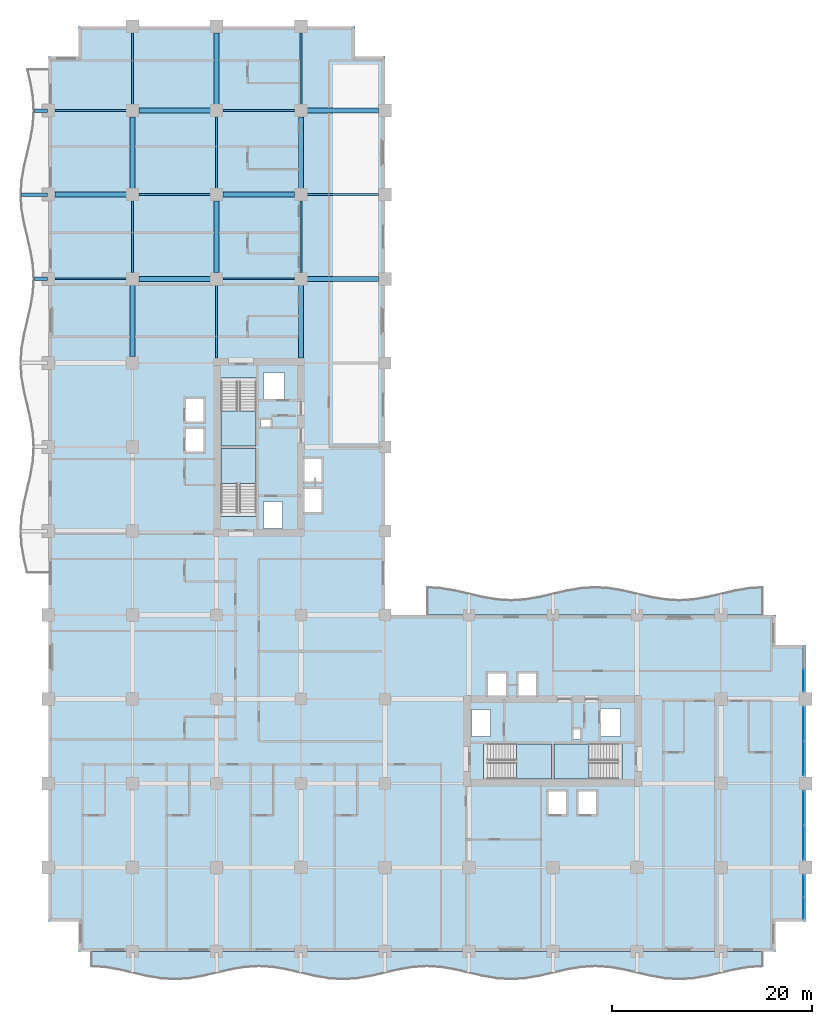
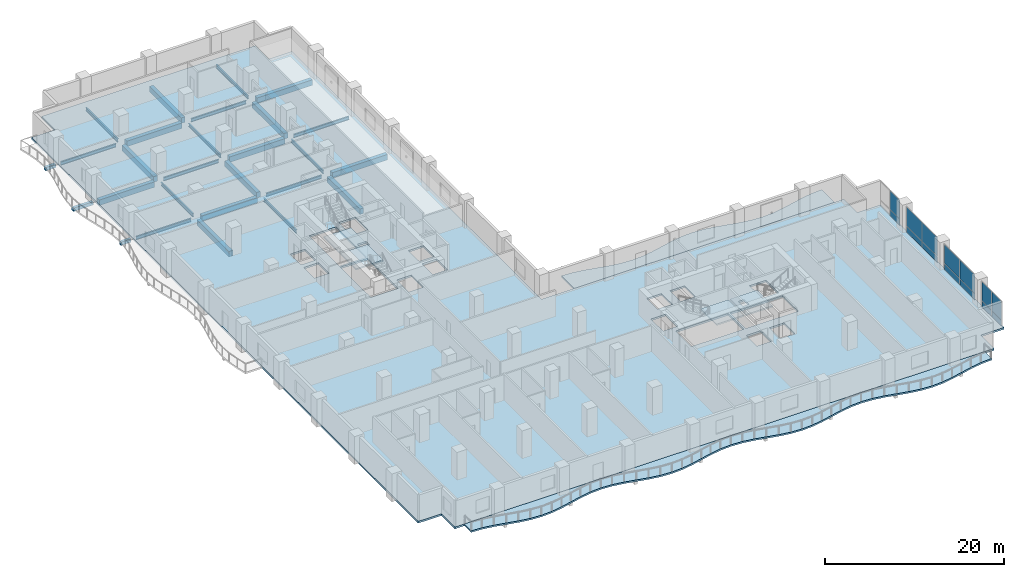
# One storey, part 7 of 24: 27 beams, 14 plates, 7 slabs, 8 elements without a shape of their own.
"""IFC4 building model written with IfcOpenShell, lengths in metres."""

from ifc_helpers import new_model, si_unit, direction, frame, origin, origin_2d, place, context, subcontext, project, spatial, polyline, rectangle, i_section, outline, extrude, material, layer, layer_set, material_profile, profile_set, type_object, element, aggregate, save


model = new_model("IFC4")

# Units and contexts
model_context = context("Model", 3, precision=1e-05, world=origin(), true_north=direction((0.0, 1.0)))
body_context = subcontext(model_context, "Body", "Model", "MODEL_VIEW")
ifc_project = project(units=[si_unit("LENGTHUNIT", "METRE"), si_unit("AREAUNIT", "SQUARE_METRE"), si_unit("VOLUMEUNIT", "CUBIC_METRE"), si_unit("PLANEANGLEUNIT", "RADIAN"), si_unit("MASSUNIT", "GRAM", prefix="KILO")], contexts=[model_context])

# Site, building, storey
site_placement = place(None, origin())
site = spatial("IfcSite", under=ifc_project, at=site_placement, CompositionType="ELEMENT")
building_placement = place(site_placement, origin())
building = spatial("IfcBuilding", under=site, at=building_placement, Name="Koriwani Terraces Tower", CompositionType="ELEMENT")
storey_placement = place(building_placement, frame((0.0, 0.0, 103.800048828125)))
storey = spatial("IfcBuildingStorey", under=building, at=storey_placement, Name="L24", CompositionType="ELEMENT", Elevation=103.800048828125)

# Beams
ifc_material_1 = material(Name="Concrete C40/50", Category="concrete")
ifc_material_profile_1 = material_profile(ifc_material_1, rectangle(XDim=0.35009765625, YDim=0.449951171875, at=origin_2d()), Name="Concrete C40/50", Category="LoadBearing")
ifc_profile_set_1 = profile_set([ifc_material_profile_1], Name="Concrete C40/50")
beam_type_1 = type_object("IfcBeamType", Name="BEAM_RC_BALCONY_RIB_350X450", PredefinedType="JOIST", material=ifc_profile_set_1)
beam_1_placement = place(storey_placement, frame((-1.39990234375, 67.199951171875, -0.47509765625), z_axis=(1.0, 0.0, 0.0), x_axis=(0.0, 1.0, 0.0)))
element("IfcBeam", 1, at=beam_1_placement, inside=storey, type_object=beam_type_1, Name="L24 Balcony Bracket Rib W-4", PredefinedType="JOIST", context=body_context, shape_type="SweptSolid", body=[
    extrude(rectangle(XDim=0.35009765625, YDim=0.449951171875, at=origin_2d()), origin(), (0.0, 0.0, 1.0), 1.2998046875),
])
beam_2_placement = place(storey_placement, frame((-2.699951171875, 75.60009765625, -0.47509765625), z_axis=(1.0, 0.0, 0.0), x_axis=(0.0, 1.0, 0.0)))
element("IfcBeam", 2, at=beam_2_placement, inside=storey, type_object=beam_type_1, Name="L24 Balcony Bracket Rib W-5", PredefinedType="JOIST", context=body_context, shape_type="SweptSolid", body=[
    extrude(rectangle(XDim=0.35009765625, YDim=0.449951171875, at=origin_2d()), origin(), (0.0, 0.0, 1.0), 2.599853515625),
])
beam_3_placement = place(storey_placement, frame((-1.39990234375, 84.0, -0.47509765625), z_axis=(1.0, 0.0, 0.0), x_axis=(0.0, 1.0, 0.0)))
element("IfcBeam", 3, at=beam_3_placement, inside=storey, type_object=beam_type_1, Name="L24 Balcony Bracket Rib W-6", PredefinedType="JOIST", context=body_context, shape_type="SweptSolid", body=[
    extrude(rectangle(XDim=0.35009765625, YDim=0.449951171875, at=origin_2d()), origin(), (0.0, 0.0, 1.0), 1.2998046875),
])
ifc_material_2 = material(Name="Concrete C50/60", Category="concrete")
ifc_material_profile_2 = material_profile(ifc_material_2, rectangle(XDim=0.5, YDim=0.75, at=origin_2d()), Name="Concrete C50/60", Category="LoadBearing")
ifc_profile_set_2 = profile_set([ifc_material_profile_2], Name="Concrete C50/60")
beam_type_2 = type_object("IfcBeamType", Name="BEAM_RC_GRID_500X750", PredefinedType="BEAM", material=ifc_profile_set_2)
for number, where, z_axis, x_axis, name in (
    (4, (9.030029296875, 67.199951171875, -0.625), (1.0, 0.0, 0.0), (0.0, 1.0, 0.0), "L24 Grid Beam I (8.4-16.8m)"),
    (5, (25.830078125, 67.199951171875, -0.625), (1.0, 0.0, 0.0), (0.0, 1.0, 0.0), "L24 Grid Beam I (25.2-33.6m)"),
):
    element("IfcBeam", number, at=place(storey_placement, frame(where, z_axis=z_axis, x_axis=x_axis)), inside=storey, type_object=beam_type_2, Name=name, PredefinedType="BEAM", context=body_context, shape_type="SweptSolid", body=[
        extrude(rectangle(XDim=0.5, YDim=0.75, at=origin_2d()), origin(), (0.0, 0.0, 1.0), 7.139892578125),
    ])
for number, where, z_axis, x_axis, name in (
    (6, (0.6298828125, 75.60009765625, -0.625), (1.0, 0.0, 0.0), (0.0, 1.0, 0.0), "L24 Grid Beam J (0.0-8.4m)"),
    (7, (17.429931640625, 75.60009765625, -0.625), (1.0, 0.0, 0.0), (0.0, 1.0, 0.0), "L24 Grid Beam J (16.8-25.2m)"),
):
    element("IfcBeam", number, at=place(storey_placement, frame(where, z_axis=z_axis, x_axis=x_axis)), inside=storey, type_object=beam_type_2, Name=name, PredefinedType="BEAM", context=body_context, shape_type="SweptSolid", body=[
        extrude(rectangle(XDim=0.5, YDim=0.75, at=origin_2d()), origin(), (0.0, 0.0, 1.0), 7.14013671875),
    ])
for number, where, z_axis, x_axis, name in (
    (8, (9.030029296875, 84.0, -0.625), (1.0, 0.0, 0.0), (0.0, 1.0, 0.0), "L24 Grid Beam K (8.4-16.8m)"),
    (9, (25.830078125, 84.0, -0.625), (1.0, 0.0, 0.0), (0.0, 1.0, 0.0), "L24 Grid Beam K (25.2-33.6m)"),
):
    element("IfcBeam", number, at=place(storey_placement, frame(where, z_axis=z_axis, x_axis=x_axis)), inside=storey, type_object=beam_type_2, Name=name, PredefinedType="BEAM", context=body_context, shape_type="SweptSolid", body=[
        extrude(rectangle(XDim=0.5, YDim=0.75, at=origin_2d()), origin(), (0.0, 0.0, 1.0), 7.139892578125),
    ])
for number, where, z_axis, x_axis, name in (
    (10, (8.39990234375, 59.429931640625, -0.625), (0.0, 1.0, 0.0), (-1.0, 0.0, 0.0), "L24 Grid Beam 2 (58.8-67.2m)"),
    (11, (8.39990234375, 76.22998046875, -0.625), (0.0, 1.0, 0.0), (-1.0, 0.0, 0.0), "L24 Grid Beam 2 (75.6-84.0m)"),
):
    element("IfcBeam", number, at=place(storey_placement, frame(where, z_axis=z_axis, x_axis=x_axis)), inside=storey, type_object=beam_type_2, Name=name, PredefinedType="BEAM", context=body_context, shape_type="SweptSolid", body=[
        extrude(rectangle(XDim=0.5, YDim=0.75, at=origin_2d()), origin(), (0.0, 0.0, 1.0), 7.14013671875),
    ])
beam_4_placement = place(storey_placement, frame((16.800048828125, 67.830078125, -0.625), z_axis=(0.0, 1.0, 0.0), x_axis=(-1.0, 0.0, 0.0)))
element("IfcBeam", 12, at=beam_4_placement, inside=storey, type_object=beam_type_2, Name="L24 Grid Beam 3 (67.2-75.6m)", PredefinedType="BEAM", context=body_context, shape_type="SweptSolid", body=[
    extrude(rectangle(XDim=0.5, YDim=0.75, at=origin_2d()), origin(), (0.0, 0.0, 1.0), 7.139892578125),
])
beam_5_placement = place(storey_placement, frame((16.800048828125, 84.6298828125, -0.625), z_axis=(0.0, 1.0, 0.0), x_axis=(-1.0, 0.0, 0.0)))
element("IfcBeam", 13, at=beam_5_placement, inside=storey, type_object=beam_type_2, Name="L24 Grid Beam 3 (84.0-92.4m)", PredefinedType="BEAM", context=body_context, shape_type="SweptSolid", body=[
    extrude(rectangle(XDim=0.5, YDim=0.75, at=origin_2d()), origin(), (0.0, 0.0, 1.0), 7.14013671875),
])
beam_6_placement = place(storey_placement, frame((25.199951171875, 59.280029296875, -0.625), z_axis=(0.0, 1.0, 0.0), x_axis=(-1.0, 0.0, 0.0)))
element("IfcBeam", 14, at=beam_6_placement, inside=storey, type_object=beam_type_2, Name="L24 Grid Beam 4 (58.8-67.2m)", PredefinedType="BEAM", context=body_context, shape_type="SweptSolid", body=[
    extrude(rectangle(XDim=0.5, YDim=0.75, at=origin_2d()), origin(), (0.0, 0.0, 1.0), 7.2900390625),
])
beam_7_placement = place(storey_placement, frame((25.199951171875, 76.22998046875, -0.625), z_axis=(0.0, 1.0, 0.0), x_axis=(-1.0, 0.0, 0.0)))
element("IfcBeam", 15, at=beam_7_placement, inside=storey, type_object=beam_type_2, Name="L24 Grid Beam 4 (75.6-84.0m)", PredefinedType="BEAM", context=body_context, shape_type="SweptSolid", body=[
    extrude(rectangle(XDim=0.5, YDim=0.75, at=origin_2d()), origin(), (0.0, 0.0, 1.0), 7.14013671875),
])
ifc_material_3 = material(Name="Steel ASTM A572 Grade 50", Category="steel")
ifc_material_profile_3 = material_profile(ifc_material_3, i_section(OverallWidth=0.193115234375, OverallDepth=0.462890625, WebThickness=0.0107421875, FlangeThickness=0.017333984375, at=origin_2d()), Name="Steel ASTM A572 Grade 50", Category="LoadBearing")
ifc_profile_set_3 = profile_set([ifc_material_profile_3], Name="Steel ASTM A572 Grade 50")
beam_type_3 = type_object("IfcBeamType", Name="STEEL_BEAM_W460X113", PredefinedType="BEAM", material=ifc_profile_set_3)
for number, where, z_axis, x_axis, name in (
    (16, (0.6298828125, 67.199951171875, -0.4814453125), (1.0, 0.0, 0.0), (0.0, 1.0, 0.0), "L24 Grid Beam I (0.0-8.4m)"),
    (17, (17.429931640625, 67.199951171875, -0.4814453125), (1.0, 0.0, 0.0), (0.0, 1.0, 0.0), "L24 Grid Beam I (16.8-25.2m)"),
):
    element("IfcBeam", number, at=place(storey_placement, frame(where, z_axis=z_axis, x_axis=x_axis)), inside=storey, type_object=beam_type_3, Name=name, PredefinedType="BEAM", context=body_context, shape_type="SweptSolid", body=[
        extrude(i_section(OverallWidth=0.193115234375, OverallDepth=0.462890625, WebThickness=0.0107421875, FlangeThickness=0.017333984375, at=origin_2d()), origin(), (0.0, 0.0, 1.0), 7.14013671875),
    ])
for number, where, z_axis, x_axis, name in (
    (18, (9.030029296875, 75.60009765625, -0.4814453125), (1.0, 0.0, 0.0), (0.0, 1.0, 0.0), "L24 Grid Beam J (8.4-16.8m)"),
    (19, (25.830078125, 75.60009765625, -0.4814453125), (1.0, 0.0, 0.0), (0.0, 1.0, 0.0), "L24 Grid Beam J (25.2-33.6m)"),
):
    element("IfcBeam", number, at=place(storey_placement, frame(where, z_axis=z_axis, x_axis=x_axis)), inside=storey, type_object=beam_type_3, Name=name, PredefinedType="BEAM", context=body_context, shape_type="SweptSolid", body=[
        extrude(i_section(OverallWidth=0.193115234375, OverallDepth=0.462890625, WebThickness=0.0107421875, FlangeThickness=0.017333984375, at=origin_2d()), origin(), (0.0, 0.0, 1.0), 7.139892578125),
    ])
for number, where, z_axis, x_axis, name in (
    (20, (0.6298828125, 84.0, -0.4814453125), (1.0, 0.0, 0.0), (0.0, 1.0, 0.0), "L24 Grid Beam K (0.0-8.4m)"),
    (21, (17.429931640625, 84.0, -0.4814453125), (1.0, 0.0, 0.0), (0.0, 1.0, 0.0), "L24 Grid Beam K (16.8-25.2m)"),
):
    element("IfcBeam", number, at=place(storey_placement, frame(where, z_axis=z_axis, x_axis=x_axis)), inside=storey, type_object=beam_type_3, Name=name, PredefinedType="BEAM", context=body_context, shape_type="SweptSolid", body=[
        extrude(i_section(OverallWidth=0.193115234375, OverallDepth=0.462890625, WebThickness=0.0107421875, FlangeThickness=0.017333984375, at=origin_2d()), origin(), (0.0, 0.0, 1.0), 7.14013671875),
    ])
beam_8_placement = place(storey_placement, frame((8.39990234375, 67.830078125, -0.4814453125), z_axis=(0.0, 1.0, 0.0), x_axis=(-1.0, 0.0, 0.0)))
element("IfcBeam", 22, at=beam_8_placement, inside=storey, type_object=beam_type_3, Name="L24 Grid Beam 2 (67.2-75.6m)", PredefinedType="BEAM", context=body_context, shape_type="SweptSolid", body=[
    extrude(i_section(OverallWidth=0.193115234375, OverallDepth=0.462890625, WebThickness=0.0107421875, FlangeThickness=0.017333984375, at=origin_2d()), origin(), (0.0, 0.0, 1.0), 7.139892578125),
])
beam_9_placement = place(storey_placement, frame((8.39990234375, 84.6298828125, -0.4814453125), z_axis=(0.0, 1.0, 0.0), x_axis=(-1.0, 0.0, 0.0)))
element("IfcBeam", 23, at=beam_9_placement, inside=storey, type_object=beam_type_3, Name="L24 Grid Beam 2 (84.0-92.4m)", PredefinedType="BEAM", context=body_context, shape_type="SweptSolid", body=[
    extrude(i_section(OverallWidth=0.193115234375, OverallDepth=0.462890625, WebThickness=0.0107421875, FlangeThickness=0.017333984375, at=origin_2d()), origin(), (0.0, 0.0, 1.0), 7.14013671875),
])
beam_10_placement = place(storey_placement, frame((16.800048828125, 59.280029296875, -0.4814453125), z_axis=(0.0, 1.0, 0.0), x_axis=(-1.0, 0.0, 0.0)))
element("IfcBeam", 24, at=beam_10_placement, inside=storey, type_object=beam_type_3, Name="L24 Grid Beam 3 (58.8-67.2m)", PredefinedType="BEAM", context=body_context, shape_type="SweptSolid", body=[
    extrude(i_section(OverallWidth=0.193115234375, OverallDepth=0.462890625, WebThickness=0.0107421875, FlangeThickness=0.017333984375, at=origin_2d()), origin(), (0.0, 0.0, 1.0), 7.2900390625),
])
beam_11_placement = place(storey_placement, frame((16.800048828125, 76.22998046875, -0.4814453125), z_axis=(0.0, 1.0, 0.0), x_axis=(-1.0, 0.0, 0.0)))
element("IfcBeam", 25, at=beam_11_placement, inside=storey, type_object=beam_type_3, Name="L24 Grid Beam 3 (75.6-84.0m)", PredefinedType="BEAM", context=body_context, shape_type="SweptSolid", body=[
    extrude(i_section(OverallWidth=0.193115234375, OverallDepth=0.462890625, WebThickness=0.0107421875, FlangeThickness=0.017333984375, at=origin_2d()), origin(), (0.0, 0.0, 1.0), 7.14013671875),
])
beam_12_placement = place(storey_placement, frame((25.199951171875, 67.830078125, -0.4814453125), z_axis=(0.0, 1.0, 0.0), x_axis=(-1.0, 0.0, 0.0)))
element("IfcBeam", 26, at=beam_12_placement, inside=storey, type_object=beam_type_3, Name="L24 Grid Beam 4 (67.2-75.6m)", PredefinedType="BEAM", context=body_context, shape_type="SweptSolid", body=[
    extrude(i_section(OverallWidth=0.193115234375, OverallDepth=0.462890625, WebThickness=0.0107421875, FlangeThickness=0.017333984375, at=origin_2d()), origin(), (0.0, 0.0, 1.0), 7.139892578125),
])
beam_13_placement = place(storey_placement, frame((25.199951171875, 84.6298828125, -0.4814453125), z_axis=(0.0, 1.0, 0.0), x_axis=(-1.0, 0.0, 0.0)))
element("IfcBeam", 27, at=beam_13_placement, inside=storey, type_object=beam_type_3, Name="L24 Grid Beam 4 (84.0-92.4m)", PredefinedType="BEAM", context=body_context, shape_type="SweptSolid", body=[
    extrude(i_section(OverallWidth=0.193115234375, OverallDepth=0.462890625, WebThickness=0.0107421875, FlangeThickness=0.017333984375, at=origin_2d()), origin(), (0.0, 0.0, 1.0), 7.14013671875),
])

# Curtain wall, plates
ifc_material_4 = material(Name="Anodised Bronze Aluminium", Category="aluminium")
ifc_layer_1 = layer(ifc_material_4, 0.179931640625, Name="Anodised Bronze Aluminium")
ifc_layer_set_1 = layer_set([ifc_layer_1], Name="Anodised Bronze Aluminium")
curtain_wall_type = type_object("IfcCurtainWallType", Name="CW_HOTEL_ZONE2", PredefinedType="NOTDEFINED", material=ifc_layer_set_1)
curtain_wall_1_placement = place(storey_placement, origin())
curtain_wall_1 = element("IfcCurtainWall", 28, at=curtain_wall_1_placement, inside=storey, type_object=curtain_wall_type, Name="L24 Unitised Curtain Wall (E_TIP) Bay 1", PredefinedType="NOTDEFINED")
ifc_material_5 = material(Name="Tempered Laminated Low-E Glass", Category="glass")
ifc_layer_2 = layer(ifc_material_5, 0.028076171875, Name="Tempered Laminated Low-E Glass")
ifc_layer_set_2 = layer_set([ifc_layer_2], Name="Tempered Laminated Low-E Glass")
plate_type = type_object("IfcPlateType", Name="CW_PANEL_VISION_28", PredefinedType="CURTAIN_PANEL", material=ifc_layer_set_2)
plate_1_placement = place(storey_placement, frame((75.425048828125, 27.0576171875, 0.06494140625), z_axis=(0.0, 0.0, 1.0), x_axis=(0.0, -1.0, 0.0)))
plate_1 = element("IfcPlate", 29, at=plate_1_placement, type_object=plate_type, Name="CW-Z2 panel 2.1", PredefinedType="CURTAIN_PANEL", context=body_context, shape_type="SweptSolid", body=[
    extrude(rectangle(XDim=2.14501953125, YDim=0.028076171875, at=origin_2d()), origin(), (0.0, 0.0, 1.0), 0.802490234375),
])
plate_2_placement = place(storey_placement, frame((75.425048828125, 27.0576171875, 0.9326171875), z_axis=(0.0, 0.0, 1.0), x_axis=(0.0, -1.0, 0.0)))
plate_2 = element("IfcPlate", 30, at=plate_2_placement, type_object=plate_type, Name="CW-Z2 panel 2.2", PredefinedType="CURTAIN_PANEL", context=body_context, shape_type="SweptSolid", body=[
    extrude(rectangle(XDim=2.14501953125, YDim=0.028076171875, at=origin_2d()), origin(), (0.0, 0.0, 1.0), 2.552490234375),
])
aggregate(curtain_wall_1, [plate_1, plate_2])

curtain_wall_2_placement = place(storey_placement, origin())
curtain_wall_2 = element("IfcCurtainWall", 31, at=curtain_wall_2_placement, inside=storey, type_object=curtain_wall_type, Name="L24 Unitised Curtain Wall (E_TIP) Bay 2", PredefinedType="NOTDEFINED")
plate_3_placement = place(storey_placement, frame((75.425048828125, 22.726318359375, 0.06494140625), z_axis=(0.0, 0.0, 1.0), x_axis=(0.0, -1.0, 0.0)))
plate_3 = element("IfcPlate", 32, at=plate_3_placement, type_object=plate_type, Name="CW-Z2 panel 1.1", PredefinedType="CURTAIN_PANEL", context=body_context, shape_type="SweptSolid", body=[
    extrude(rectangle(XDim=3.37744140625, YDim=0.028076171875, at=origin_2d()), origin(), (0.0, 0.0, 1.0), 0.802490234375),
])
plate_4_placement = place(storey_placement, frame((75.425048828125, 22.726318359375, 0.9326171875), z_axis=(0.0, 0.0, 1.0), x_axis=(0.0, -1.0, 0.0)))
plate_4 = element("IfcPlate", 33, at=plate_4_placement, type_object=plate_type, Name="CW-Z2 panel 1.2", PredefinedType="CURTAIN_PANEL", context=body_context, shape_type="SweptSolid", body=[
    extrude(rectangle(XDim=3.37744140625, YDim=0.028076171875, at=origin_2d()), origin(), (0.0, 0.0, 1.0), 2.552490234375),
])
plate_5_placement = place(storey_placement, frame((75.425048828125, 19.273681640625, 0.06494140625), z_axis=(0.0, 0.0, 1.0), x_axis=(0.0, -1.0, 0.0)))
plate_5 = element("IfcPlate", 34, at=plate_5_placement, type_object=plate_type, Name="CW-Z2 panel 2.1", PredefinedType="CURTAIN_PANEL", context=body_context, shape_type="SweptSolid", body=[
    extrude(rectangle(XDim=3.37744140625, YDim=0.028076171875, at=origin_2d()), origin(), (0.0, 0.0, 1.0), 0.802490234375),
])
plate_6_placement = place(storey_placement, frame((75.425048828125, 19.273681640625, 0.9326171875), z_axis=(0.0, 0.0, 1.0), x_axis=(0.0, -1.0, 0.0)))
plate_6 = element("IfcPlate", 35, at=plate_6_placement, type_object=plate_type, Name="CW-Z2 panel 2.2", PredefinedType="CURTAIN_PANEL", context=body_context, shape_type="SweptSolid", body=[
    extrude(rectangle(XDim=3.37744140625, YDim=0.028076171875, at=origin_2d()), origin(), (0.0, 0.0, 1.0), 2.552490234375),
])
aggregate(curtain_wall_2, [plate_3, plate_4, plate_5, plate_6])

curtain_wall_3_placement = place(storey_placement, origin())
curtain_wall_3 = element("IfcCurtainWall", 36, at=curtain_wall_3_placement, inside=storey, type_object=curtain_wall_type, Name="L24 Unitised Curtain Wall (E_TIP) Bay 3", PredefinedType="NOTDEFINED")
plate_7_placement = place(storey_placement, frame((75.425048828125, 14.326171875, 0.06494140625), z_axis=(0.0, 0.0, 1.0), x_axis=(0.0, -1.0, 0.0)))
plate_7 = element("IfcPlate", 37, at=plate_7_placement, type_object=plate_type, Name="CW-Z2 panel 1.1", PredefinedType="CURTAIN_PANEL", context=body_context, shape_type="SweptSolid", body=[
    extrude(rectangle(XDim=3.37744140625, YDim=0.028076171875, at=origin_2d()), origin(), (0.0, 0.0, 1.0), 0.802490234375),
])
plate_8_placement = place(storey_placement, frame((75.425048828125, 14.326171875, 0.9326171875), z_axis=(0.0, 0.0, 1.0), x_axis=(0.0, -1.0, 0.0)))
plate_8 = element("IfcPlate", 38, at=plate_8_placement, type_object=plate_type, Name="CW-Z2 panel 1.2", PredefinedType="CURTAIN_PANEL", context=body_context, shape_type="SweptSolid", body=[
    extrude(rectangle(XDim=3.37744140625, YDim=0.028076171875, at=origin_2d()), origin(), (0.0, 0.0, 1.0), 2.552490234375),
])
plate_9_placement = place(storey_placement, frame((75.425048828125, 10.873779296875, 0.06494140625), z_axis=(0.0, 0.0, 1.0), x_axis=(0.0, -1.0, 0.0)))
plate_9 = element("IfcPlate", 39, at=plate_9_placement, type_object=plate_type, Name="CW-Z2 panel 2.1", PredefinedType="CURTAIN_PANEL", context=body_context, shape_type="SweptSolid", body=[
    extrude(rectangle(XDim=3.37744140625, YDim=0.028076171875, at=origin_2d()), origin(), (0.0, 0.0, 1.0), 0.802490234375),
])
plate_10_placement = place(storey_placement, frame((75.425048828125, 10.873779296875, 0.9326171875), z_axis=(0.0, 0.0, 1.0), x_axis=(0.0, -1.0, 0.0)))
plate_10 = element("IfcPlate", 40, at=plate_10_placement, type_object=plate_type, Name="CW-Z2 panel 2.2", PredefinedType="CURTAIN_PANEL", context=body_context, shape_type="SweptSolid", body=[
    extrude(rectangle(XDim=3.37744140625, YDim=0.028076171875, at=origin_2d()), origin(), (0.0, 0.0, 1.0), 2.552490234375),
])
aggregate(curtain_wall_3, [plate_7, plate_8, plate_9, plate_10])

curtain_wall_4_placement = place(storey_placement, origin())
curtain_wall_4 = element("IfcCurtainWall", 41, at=curtain_wall_4_placement, inside=storey, type_object=curtain_wall_type, Name="L24 Unitised Curtain Wall (E_TIP) Bay 4", PredefinedType="NOTDEFINED")
plate_11_placement = place(storey_placement, frame((75.425048828125, 6.54248046875, 0.06494140625), z_axis=(0.0, 0.0, 1.0), x_axis=(0.0, -1.0, 0.0)))
plate_11 = element("IfcPlate", 42, at=plate_11_placement, type_object=plate_type, Name="CW-Z2 panel 1.1", PredefinedType="CURTAIN_PANEL", context=body_context, shape_type="SweptSolid", body=[
    extrude(rectangle(XDim=2.14501953125, YDim=0.028076171875, at=origin_2d()), origin(), (0.0, 0.0, 1.0), 0.802490234375),
])
plate_12_placement = place(storey_placement, frame((75.425048828125, 6.54248046875, 0.9326171875), z_axis=(0.0, 0.0, 1.0), x_axis=(0.0, -1.0, 0.0)))
plate_12 = element("IfcPlate", 43, at=plate_12_placement, type_object=plate_type, Name="CW-Z2 panel 1.2", PredefinedType="CURTAIN_PANEL", context=body_context, shape_type="SweptSolid", body=[
    extrude(rectangle(XDim=2.14501953125, YDim=0.028076171875, at=origin_2d()), origin(), (0.0, 0.0, 1.0), 2.552490234375),
])
plate_13_placement = place(storey_placement, frame((75.425048828125, 4.322509765625, 0.06494140625), z_axis=(0.0, 0.0, 1.0), x_axis=(0.0, -1.0, 0.0)))
plate_13 = element("IfcPlate", 44, at=plate_13_placement, type_object=plate_type, Name="CW-Z2 panel 2.1", PredefinedType="CURTAIN_PANEL", context=body_context, shape_type="SweptSolid", body=[
    extrude(rectangle(XDim=2.14501953125, YDim=0.028076171875, at=origin_2d()), origin(), (0.0, 0.0, 1.0), 0.802490234375),
])
plate_14_placement = place(storey_placement, frame((75.425048828125, 4.322509765625, 0.9326171875), z_axis=(0.0, 0.0, 1.0), x_axis=(0.0, -1.0, 0.0)))
plate_14 = element("IfcPlate", 45, at=plate_14_placement, type_object=plate_type, Name="CW-Z2 panel 2.2", PredefinedType="CURTAIN_PANEL", context=body_context, shape_type="SweptSolid", body=[
    extrude(rectangle(XDim=2.14501953125, YDim=0.028076171875, at=origin_2d()), origin(), (0.0, 0.0, 1.0), 2.552490234375),
])
aggregate(curtain_wall_4, [plate_11, plate_12, plate_13, plate_14])

# Slabs
ifc_layer_3 = layer(ifc_material_1, 0.219970703125, Name="Concrete C40/50")
ifc_layer_set_3 = layer_set([ifc_layer_3], Name="Concrete C40/50")
slab_type_1 = type_object("IfcSlabType", Name="SLAB_BALCONY_220", PredefinedType="FLOOR", material=ifc_layer_set_3)
slab_1_placement = place(storey_placement, frame((0.0, 0.0, -0.219970703125)))
element("IfcSlab", 46, at=slab_1_placement, inside=storey, type_object=slab_type_1, Name="L24 Quilted Circular-Arc Balcony (S)", PredefinedType="FLOOR", context=body_context, shape_type="SweptSolid", body=[
    extrude(outline(polyline([(4.199951171875, 0.0), (5.60009765625, 0.0), (7.0, 0.0), (8.39990234375, 0.0), (9.800048828125, 0.0), (11.199951171875, 0.0), (12.60009765625, 0.0), (14.0, 0.0), (15.39990234375, 0.0), (16.800048828125, 0.0), (18.199951171875, 0.0), (19.60009765625, 0.0), (21.0, 0.0), (22.39990234375, 0.0), (23.800048828125, 0.0), (25.199951171875, 0.0), (26.60009765625, 0.0), (28.0, 0.0), (29.39990234375, 0.0), (30.800048828125, 0.0), (32.199951171875, 0.0), (33.60009765625, 0.0), (35.0, 0.0), (36.39990234375, 0.0), (37.800048828125, 0.0), (39.199951171875, 0.0), (40.60009765625, 0.0), (42.0, 0.0), (43.39990234375, 0.0), (44.800048828125, 0.0), (46.199951171875, 0.0), (47.60009765625, 0.0), (49.0, 0.0), (50.39990234375, 0.0), (51.800048828125, 0.0), (53.199951171875, 0.0), (54.60009765625, 0.0), (56.0, 0.0), (57.39990234375, 0.0), (58.800048828125, 0.0), (60.199951171875, 0.0), (61.60009765625, 0.0), (63.0, 0.0), (64.39990234375, 0.0), (65.800048828125, 0.0), (67.199951171875, 0.0), (68.60009765625, 0.0), (70.0, 0.0), (71.39990234375, 0.0), (71.39990234375, -1.550048828125), (70.0, -1.63720703125), (68.60009765625, -1.875), (67.199951171875, -2.199951171875), (65.800048828125, -2.52490234375), (64.39990234375, -2.762939453125), (63.0, -2.85009765625), (61.60009765625, -2.762939453125), (60.199951171875, -2.52490234375), (58.800048828125, -2.199951171875), (57.39990234375, -1.875), (56.0, -1.63720703125), (54.60009765625, -1.550048828125), (53.199951171875, -1.63720703125), (51.800048828125, -1.875), (50.39990234375, -2.199951171875), (49.0, -2.52490234375), (47.60009765625, -2.762939453125), (46.199951171875, -2.85009765625), (44.800048828125, -2.762939453125), (43.39990234375, -2.52490234375), (42.0, -2.199951171875), (40.60009765625, -1.875), (39.199951171875, -1.63720703125), (37.800048828125, -1.550048828125), (36.39990234375, -1.63720703125), (35.0, -1.875), (33.60009765625, -2.199951171875), (32.199951171875, -2.52490234375), (30.800048828125, -2.762939453125), (29.39990234375, -2.85009765625), (28.0, -2.762939453125), (26.60009765625, -2.52490234375), (25.199951171875, -2.199951171875), (23.800048828125, -1.875), (22.39990234375, -1.63720703125), (21.0, -1.550048828125), (19.60009765625, -1.63720703125), (18.199951171875, -1.875), (16.800048828125, -2.199951171875), (15.39990234375, -2.52490234375), (14.0, -2.762939453125), (12.60009765625, -2.85009765625), (11.199951171875, -2.762939453125), (9.800048828125, -2.52490234375), (8.39990234375, -2.199951171875), (7.0, -1.875), (5.60009765625, -1.63720703125), (4.199951171875, -1.550048828125), (4.199951171875, 0.0)])), origin(), (0.0, 0.0, 1.0), 0.219970703125),
])
slab_2_placement = place(storey_placement, frame((0.0, 0.0, -0.219970703125)))
element("IfcSlab", 47, at=slab_2_placement, inside=storey, type_object=slab_type_1, Name="L24 Quilted Circular-Arc Balcony (NE)", PredefinedType="FLOOR", context=body_context, shape_type="SweptSolid", body=[
    extrude(outline(polyline([(71.39990234375, 33.60009765625), (70.0, 33.60009765625), (68.60009765625, 33.60009765625), (67.199951171875, 33.60009765625), (65.800048828125, 33.60009765625), (64.39990234375, 33.60009765625), (63.0, 33.60009765625), (61.60009765625, 33.60009765625), (60.199951171875, 33.60009765625), (58.800048828125, 33.60009765625), (57.39990234375, 33.60009765625), (56.0, 33.60009765625), (54.60009765625, 33.60009765625), (53.199951171875, 33.60009765625), (51.800048828125, 33.60009765625), (50.39990234375, 33.60009765625), (49.0, 33.60009765625), (47.60009765625, 33.60009765625), (46.199951171875, 33.60009765625), (44.800048828125, 33.60009765625), (43.39990234375, 33.60009765625), (42.0, 33.60009765625), (40.60009765625, 33.60009765625), (39.199951171875, 33.60009765625), (37.800048828125, 33.60009765625), (37.800048828125, 36.449951171875), (39.199951171875, 36.36279296875), (40.60009765625, 36.125), (42.0, 35.800048828125), (43.39990234375, 35.47509765625), (44.800048828125, 35.237060546875), (46.199951171875, 35.14990234375), (47.60009765625, 35.237060546875), (49.0, 35.47509765625), (50.39990234375, 35.800048828125), (51.800048828125, 36.125), (53.199951171875, 36.36279296875), (54.60009765625, 36.449951171875), (56.0, 36.36279296875), (57.39990234375, 36.125), (58.800048828125, 35.800048828125), (60.199951171875, 35.47509765625), (61.60009765625, 35.237060546875), (63.0, 35.14990234375), (64.39990234375, 35.237060546875), (65.800048828125, 35.47509765625), (67.199951171875, 35.800048828125), (68.60009765625, 36.125), (70.0, 36.36279296875), (71.39990234375, 36.449951171875), (71.39990234375, 33.60009765625)])), origin(), (0.0, 0.0, 1.0), 0.219970703125),
])

# Stair, slab
stair_type = type_object("IfcStairType", Name="STAIR_CORE_DOGLEG_1650", PredefinedType="TWO_STRAIGHT_RUN_STAIR", material=ifc_material_1)
stair_1_placement = place(storey_placement, origin())
stair_1 = element("IfcStair", 48, at=stair_1_placement, inside=storey, type_object=stair_type, Name="L24 West Core Exit Stair 1", PredefinedType="HALF_TURN_STAIR")
ifc_layer_4 = layer(ifc_material_1, 0.199951171875, Name="Concrete C40/50")
ifc_layer_set_4 = layer_set([ifc_layer_4], Name="Concrete C40/50")
slab_type_2 = type_object("IfcSlabType", Name="SLAB_STAIR_LANDING_200", PredefinedType="LANDING", material=ifc_layer_set_4)
slab_3_placement = place(storey_placement, frame((0.0, 0.0, 1.699951171875)))
slab_3 = element("IfcSlab", 49, at=slab_3_placement, type_object=slab_type_2, Name="ST-W1 landing 1", PredefinedType="LANDING", context=body_context, shape_type="SweptSolid", body=[
    extrude(outline(polyline([(20.75, 46.75), (20.75, 50.25), (17.25, 50.25), (17.25, 46.75), (20.75, 46.75)])), origin(), (0.0, 0.0, 1.0), 0.199951171875),
])
aggregate(stair_1, [slab_3])

stair_2_placement = place(storey_placement, origin())
stair_2 = element("IfcStair", 50, at=stair_2_placement, inside=storey, type_object=stair_type, Name="L24 West Core Exit Stair 2", PredefinedType="HALF_TURN_STAIR")
slab_4_placement = place(storey_placement, frame((0.0, 0.0, 1.699951171875)))
slab_4 = element("IfcSlab", 51, at=slab_4_placement, type_object=slab_type_2, Name="ST-W2 landing 1", PredefinedType="LANDING", context=body_context, shape_type="SweptSolid", body=[
    extrude(outline(polyline([(17.25, 54.0), (17.25, 50.5), (20.75, 50.5), (20.75, 54.0), (17.25, 54.0)])), origin(), (0.0, 0.0, 1.0), 0.199951171875),
])
aggregate(stair_2, [slab_4])

stair_3_placement = place(storey_placement, origin())
stair_3 = element("IfcStair", 52, at=stair_3_placement, inside=storey, type_object=stair_type, Name="L24 East Core Exit Stair 1", PredefinedType="HALF_TURN_STAIR")
slab_5_placement = place(storey_placement, frame((0.0, 0.0, 1.699951171875)))
slab_5 = element("IfcSlab", 53, at=slab_5_placement, type_object=slab_type_2, Name="ST-E1 landing 1", PredefinedType="LANDING", context=body_context, shape_type="SweptSolid", body=[
    extrude(outline(polyline([(46.75, 17.25), (50.25, 17.25), (50.25, 20.75), (46.75, 20.75), (46.75, 17.25)])), origin(), (0.0, 0.0, 1.0), 0.199951171875),
])
aggregate(stair_3, [slab_5])

stair_4_placement = place(storey_placement, origin())
stair_4 = element("IfcStair", 54, at=stair_4_placement, inside=storey, type_object=stair_type, Name="L24 East Core Exit Stair 2", PredefinedType="HALF_TURN_STAIR")
slab_6_placement = place(storey_placement, frame((0.0, 0.0, 1.699951171875)))
slab_6 = element("IfcSlab", 55, at=slab_6_placement, type_object=slab_type_2, Name="ST-E2 landing 1", PredefinedType="LANDING", context=body_context, shape_type="SweptSolid", body=[
    extrude(outline(polyline([(54.0, 20.75), (50.5, 20.75), (50.5, 17.25), (54.0, 17.25), (54.0, 20.75)])), origin(), (0.0, 0.0, 1.0), 0.199951171875),
])
aggregate(stair_4, [slab_6])

# Slab
ifc_layer_5 = layer(ifc_material_1, 0.25, Name="Concrete C40/50")
ifc_layer_set_5 = layer_set([ifc_layer_5], Name="Concrete C40/50")
slab_type_3 = type_object("IfcSlabType", Name="SLAB_TOWER_TYP_250", PredefinedType="FLOOR", material=ifc_layer_set_5)
slab_7_placement = place(storey_placement, frame((0.0, 0.0, -0.25)))
element("IfcSlab", 56, at=slab_7_placement, inside=storey, type_object=slab_type_3, Name="L24 Structural Floor Slab", PredefinedType="FLOOR", context=body_context, shape_type="SweptSolid", body=[
    extrude(outline(polyline([(3.0, 0.0), (72.60009765625, 0.0), (72.60009765625, 3.0), (75.60009765625, 3.0), (75.60009765625, 30.60009765625), (72.60009765625, 30.60009765625), (72.60009765625, 33.60009765625), (33.60009765625, 33.60009765625), (33.60009765625, 89.39990234375), (30.60009765625, 89.39990234375), (30.60009765625, 92.39990234375), (3.0, 92.39990234375), (3.0, 89.39990234375), (0.0, 89.39990234375), (0.0, 3.0), (3.0, 3.0), (3.0, 0.0)]), holes=[polyline([(17.25, 43.4599609375), (20.75, 43.4599609375), (20.75, 50.25), (17.25, 50.25), (17.25, 43.4599609375)]), polyline([(17.25, 50.5), (20.75, 50.5), (20.75, 57.2900390625), (17.25, 57.2900390625), (17.25, 50.5)]), polyline([(43.4599609375, 17.25), (50.25, 17.25), (50.25, 20.75), (43.4599609375, 20.75), (43.4599609375, 17.25)]), polyline([(50.5, 17.25), (57.2900390625, 17.25), (57.2900390625, 20.75), (50.5, 20.75), (50.5, 17.25)]), polyline([(13.64990234375, 49.85009765625), (15.550048828125, 49.85009765625), (15.550048828125, 52.25), (13.64990234375, 52.25), (13.64990234375, 49.85009765625)]), polyline([(13.64990234375, 52.85009765625), (15.550048828125, 52.85009765625), (15.550048828125, 55.25), (13.64990234375, 55.25), (13.64990234375, 52.85009765625)]), polyline([(49.85009765625, 13.64990234375), (51.75, 13.64990234375), (51.75, 16.050048828125), (49.85009765625, 16.050048828125), (49.85009765625, 13.64990234375)]), polyline([(52.85009765625, 13.64990234375), (54.75, 13.64990234375), (54.75, 16.050048828125), (52.85009765625, 16.050048828125), (52.85009765625, 13.64990234375)]), polyline([(25.449951171875, 43.85009765625), (27.35009765625, 43.85009765625), (27.35009765625, 46.25), (25.449951171875, 46.25), (25.449951171875, 43.85009765625)]), polyline([(25.449951171875, 46.85009765625), (27.35009765625, 46.85009765625), (27.35009765625, 49.25), (25.449951171875, 49.25), (25.449951171875, 46.85009765625)]), polyline([(43.85009765625, 25.449951171875), (45.75, 25.449951171875), (45.75, 27.85009765625), (43.85009765625, 27.85009765625), (43.85009765625, 25.449951171875)]), polyline([(46.85009765625, 25.449951171875), (48.75, 25.449951171875), (48.75, 27.85009765625), (46.85009765625, 27.85009765625), (46.85009765625, 25.449951171875)]), polyline([(21.449951171875, 55.050048828125), (23.550048828125, 55.050048828125), (23.550048828125, 57.85009765625), (21.449951171875, 57.85009765625), (21.449951171875, 55.050048828125)]), polyline([(55.050048828125, 21.449951171875), (57.14990234375, 21.449951171875), (57.14990234375, 24.25), (55.050048828125, 24.25), (55.050048828125, 21.449951171875)]), polyline([(21.449951171875, 42.25), (23.35009765625, 42.25), (23.35009765625, 44.949951171875), (21.449951171875, 44.949951171875), (21.449951171875, 42.25)]), polyline([(42.25, 21.449951171875), (44.14990234375, 21.449951171875), (44.14990234375, 24.14990234375), (42.25, 24.14990234375), (42.25, 21.449951171875)]), polyline([(21.14990234375, 52.419921875), (22.219970703125, 52.419921875), (22.219970703125, 53.179931640625), (21.14990234375, 53.179931640625), (21.14990234375, 52.419921875)]), polyline([(52.419921875, 21.14990234375), (53.179931640625, 21.14990234375), (53.179931640625, 22.219970703125), (52.419921875, 22.219970703125), (52.419921875, 21.14990234375)])]), origin(), (0.0, 0.0, 1.0), 0.25),
])

save(model, "model.ifc")
